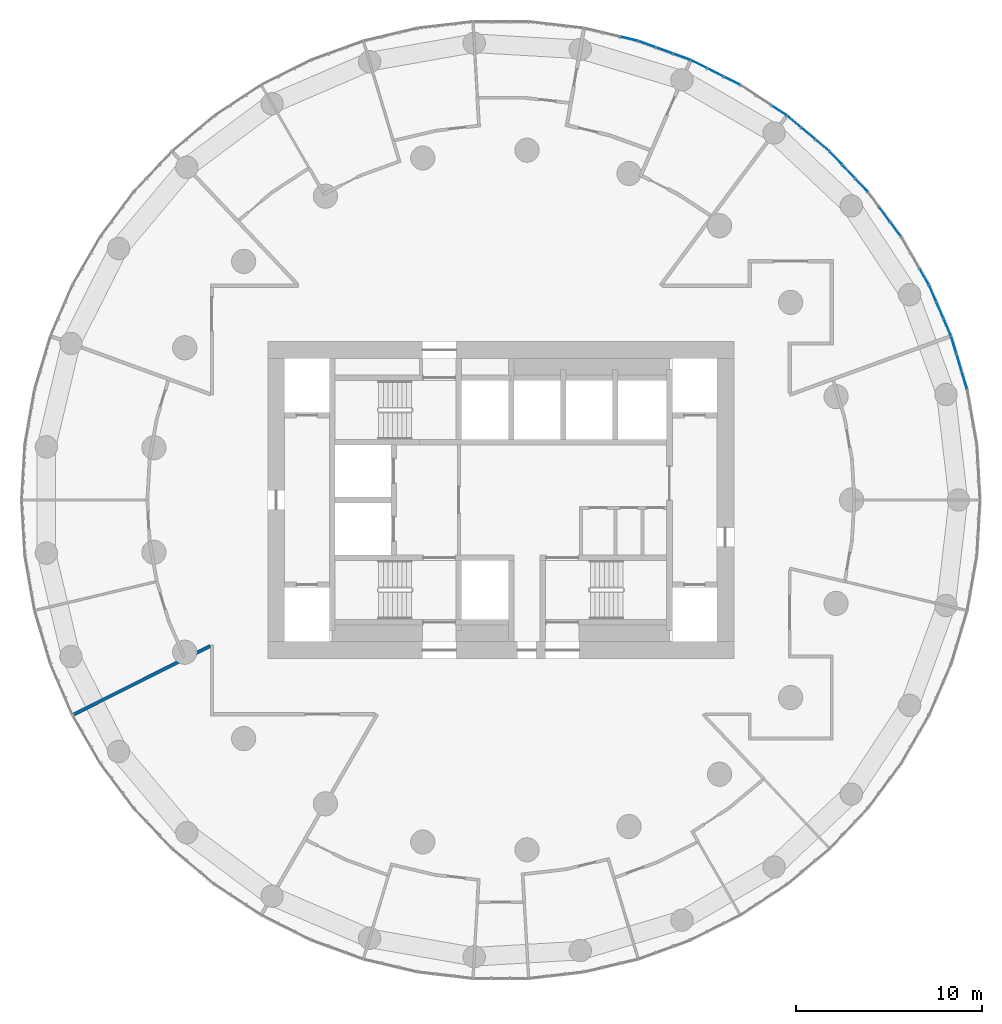
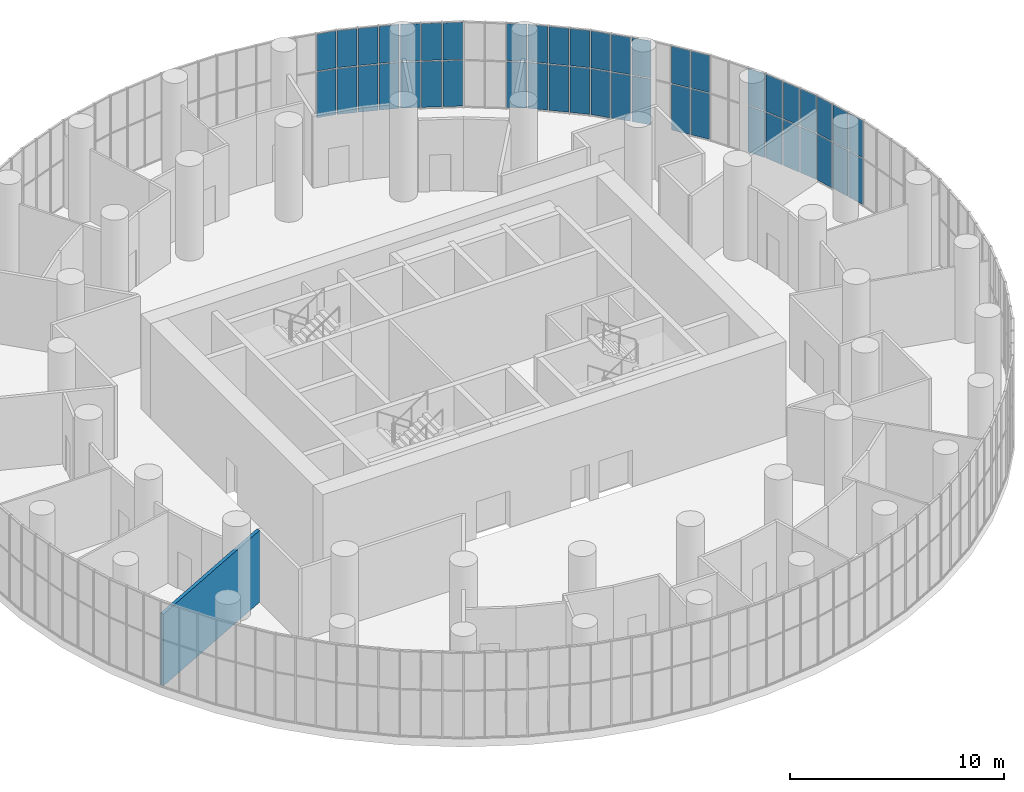
# One storey, part 15 of 21: 46 plates, 1 wall, 10 elements without a shape of their own.
"""IFC4 building model written with IfcOpenShell, lengths in metres."""

from ifc_helpers import new_model, si_unit, direction, frame, frame_2d, origin, origin_2d, place, context, subcontext, project, spatial, rectangle, extrude, material, layer, layer_set, type_object, element, aggregate, save


model = new_model("IFC4")

# Units and contexts
model_context = context("Model", 3, precision=1e-05, world=origin(), true_north=direction((0.0, 1.0)))
body_context = subcontext(model_context, "Body", "Model", "MODEL_VIEW")
ifc_project = project(units=[si_unit("LENGTHUNIT", "METRE"), si_unit("AREAUNIT", "SQUARE_METRE"), si_unit("VOLUMEUNIT", "CUBIC_METRE"), si_unit("PLANEANGLEUNIT", "RADIAN"), si_unit("MASSUNIT", "GRAM", prefix="KILO")], contexts=[model_context])

# Site, building, storey
site_placement = place(None, origin())
site = spatial("IfcSite", under=ifc_project, at=site_placement, CompositionType="ELEMENT")
building_placement = place(site_placement, origin())
building = spatial("IfcBuilding", under=site, at=building_placement, Name="Tracery Tower", CompositionType="ELEMENT")
storey_placement = place(building_placement, frame((0.0, 0.0, 219.60009765625)))
storey = spatial("IfcBuildingStorey", under=building, at=storey_placement, Name="L57", CompositionType="ELEMENT", Elevation=219.60009765625)

# Curtain wall, plates
ifc_material_1 = material(Name="Aluminium curtain wall with tinted glass", Category="aluminium")
ifc_layer_1 = layer(ifc_material_1, 0.159912109375)
ifc_layer_set_1 = layer_set([ifc_layer_1], Name="Sky lounge 2 tracery curtain wall")
curtain_wall_type = type_object("IfcCurtainWallType", Name="Sky lounge 2 tracery curtain wall", PredefinedType="NOTDEFINED", material=ifc_layer_set_1)
curtain_wall_1_placement = place(storey_placement, origin())
curtain_wall_1 = element("IfcCurtainWall", 1, at=curtain_wall_1_placement, inside=storey, type_object=curtain_wall_type, Name="Sky lounge 2 curtain wall run 3", PredefinedType="NOTDEFINED")
ifc_material_2 = material(Name="Tinted laminated glass", Category="glass")
ifc_layer_2 = layer(ifc_material_2, 0.028076171875)
ifc_layer_set_2 = layer_set([ifc_layer_2], Name="Sky lounge 2 glass panel 28")
plate_type = type_object("IfcPlateType", Name="Sky lounge 2 glass panel 28", PredefinedType="CURTAIN_PANEL", material=ifc_layer_set_2)
plate_1_placement = place(storey_placement, frame((24.87158203125, 6.406005859375, 0.06005859375), z_axis=(0.0, 0.0, 1.0), x_axis=(-0.286803232717, 0.957989512314, 0.0)))
plate_1 = element("IfcPlate", 2, at=plate_1_placement, type_object=plate_type, Name="Sky lounge 2 curtain wall run 3 glass panel 1", PredefinedType="CURTAIN_PANEL", context=body_context, shape_type="SweptSolid", body=[
    extrude(rectangle(XDim=0.9365234375, YDim=0.028076171875, at=origin_2d()), origin(), (0.0, 0.0, 1.0), 2.610107421875),
])
plate_2_placement = place(storey_placement, frame((24.87158203125, 6.406005859375, 2.72998046875), z_axis=(0.0, 0.0, 1.0), x_axis=(-0.286803232717, 0.957989512314, 0.0)))
plate_2 = element("IfcPlate", 3, at=plate_2_placement, type_object=plate_type, Name="Sky lounge 2 curtain wall run 3 glass panel 2", PredefinedType="CURTAIN_PANEL", context=body_context, shape_type="SweptSolid", body=[
    extrude(rectangle(XDim=0.9365234375, YDim=0.028076171875, at=origin_2d()), origin(), (0.0, 0.0, 1.0), 2.110107421875),
])
plate_3_placement = place(storey_placement, frame((24.5859375, 7.360595703125, 0.06005859375), z_axis=(0.0, 0.0, 1.0), x_axis=(-0.286803232717, 0.957989512314, 0.0)))
plate_3 = element("IfcPlate", 4, at=plate_3_placement, type_object=plate_type, Name="Sky lounge 2 curtain wall run 3 glass panel 3", PredefinedType="CURTAIN_PANEL", context=body_context, shape_type="SweptSolid", body=[
    extrude(rectangle(XDim=0.9365234375, YDim=0.028076171875, at=origin_2d()), origin(), (0.0, 0.0, 1.0), 2.610107421875),
])
plate_4_placement = place(storey_placement, frame((24.5859375, 7.360595703125, 2.72998046875), z_axis=(0.0, 0.0, 1.0), x_axis=(-0.286803232717, 0.957989512314, 0.0)))
plate_4 = element("IfcPlate", 5, at=plate_4_placement, type_object=plate_type, Name="Sky lounge 2 curtain wall run 3 glass panel 4", PredefinedType="CURTAIN_PANEL", context=body_context, shape_type="SweptSolid", body=[
    extrude(rectangle(XDim=0.9365234375, YDim=0.028076171875, at=origin_2d()), origin(), (0.0, 0.0, 1.0), 2.110107421875),
])
plate_5_placement = place(storey_placement, frame((24.300048828125, 8.315185546875, 0.06005859375), z_axis=(0.0, 0.0, 1.0), x_axis=(-0.286803232717, 0.957989512314, 0.0)))
plate_5 = element("IfcPlate", 6, at=plate_5_placement, type_object=plate_type, Name="Sky lounge 2 curtain wall run 3 glass panel 5", PredefinedType="CURTAIN_PANEL", context=body_context, shape_type="SweptSolid", body=[
    extrude(rectangle(XDim=0.9365234375, YDim=0.028076171875, at=origin_2d()), origin(), (0.0, 0.0, 1.0), 2.610107421875),
])
plate_6_placement = place(storey_placement, frame((24.300048828125, 8.315185546875, 2.72998046875), z_axis=(0.0, 0.0, 1.0), x_axis=(-0.286803232717, 0.957989512314, 0.0)))
plate_6 = element("IfcPlate", 7, at=plate_6_placement, type_object=plate_type, Name="Sky lounge 2 curtain wall run 3 glass panel 6", PredefinedType="CURTAIN_PANEL", context=body_context, shape_type="SweptSolid", body=[
    extrude(rectangle(XDim=0.9365234375, YDim=0.028076171875, at=origin_2d()), origin(), (0.0, 0.0, 1.0), 2.110107421875),
])
aggregate(curtain_wall_1, [plate_1, plate_2, plate_3, plate_4, plate_5, plate_6])

curtain_wall_2_placement = place(storey_placement, origin())
curtain_wall_2 = element("IfcCurtainWall", 8, at=curtain_wall_2_placement, inside=storey, type_object=curtain_wall_type, Name="Sky lounge 2 curtain wall run 4", PredefinedType="NOTDEFINED")
plate_7_placement = place(storey_placement, frame((23.9599609375, 9.25, 0.06005859375), z_axis=(0.0, 0.0, 1.0), x_axis=(-0.396079766034, 0.918216106883, 0.0)))
plate_7 = element("IfcPlate", 9, at=plate_7_placement, type_object=plate_type, Name="Sky lounge 2 curtain wall run 4 glass panel 1", PredefinedType="CURTAIN_PANEL", context=body_context, shape_type="SweptSolid", body=[
    extrude(rectangle(XDim=0.9365234375, YDim=0.028076171875, at=origin_2d()), origin(), (0.0, 0.0, 1.0), 2.610107421875),
])
plate_8_placement = place(storey_placement, frame((23.9599609375, 9.25, 2.72998046875), z_axis=(0.0, 0.0, 1.0), x_axis=(-0.396079766034, 0.918216106883, 0.0)))
plate_8 = element("IfcPlate", 10, at=plate_8_placement, type_object=plate_type, Name="Sky lounge 2 curtain wall run 4 glass panel 2", PredefinedType="CURTAIN_PANEL", context=body_context, shape_type="SweptSolid", body=[
    extrude(rectangle(XDim=0.9365234375, YDim=0.028076171875, at=origin_2d()), origin(), (0.0, 0.0, 1.0), 2.110107421875),
])
plate_9_placement = place(storey_placement, frame((23.565185546875, 10.1650390625, 0.06005859375), z_axis=(0.0, 0.0, 1.0), x_axis=(-0.396079766034, 0.918216106883, 0.0)))
plate_9 = element("IfcPlate", 11, at=plate_9_placement, type_object=plate_type, Name="Sky lounge 2 curtain wall run 4 glass panel 3", PredefinedType="CURTAIN_PANEL", context=body_context, shape_type="SweptSolid", body=[
    extrude(rectangle(XDim=0.9365234375, YDim=0.028076171875, at=origin_2d()), origin(), (0.0, 0.0, 1.0), 2.610107421875),
])
plate_10_placement = place(storey_placement, frame((23.565185546875, 10.1650390625, 2.72998046875), z_axis=(0.0, 0.0, 1.0), x_axis=(-0.396079766034, 0.918216106883, 0.0)))
plate_10 = element("IfcPlate", 12, at=plate_10_placement, type_object=plate_type, Name="Sky lounge 2 curtain wall run 4 glass panel 4", PredefinedType="CURTAIN_PANEL", context=body_context, shape_type="SweptSolid", body=[
    extrude(rectangle(XDim=0.9365234375, YDim=0.028076171875, at=origin_2d()), origin(), (0.0, 0.0, 1.0), 2.110107421875),
])
plate_11_placement = place(storey_placement, frame((23.17041015625, 11.080078125, 0.06005859375), z_axis=(0.0, 0.0, 1.0), x_axis=(-0.396079766034, 0.918216106883, 0.0)))
plate_11 = element("IfcPlate", 13, at=plate_11_placement, type_object=plate_type, Name="Sky lounge 2 curtain wall run 4 glass panel 5", PredefinedType="CURTAIN_PANEL", context=body_context, shape_type="SweptSolid", body=[
    extrude(rectangle(XDim=0.9365234375, YDim=0.028076171875, at=origin_2d()), origin(), (0.0, 0.0, 1.0), 2.610107421875),
])
plate_12_placement = place(storey_placement, frame((23.17041015625, 11.080078125, 2.72998046875), z_axis=(0.0, 0.0, 1.0), x_axis=(-0.396079766034, 0.918216106883, 0.0)))
plate_12 = element("IfcPlate", 14, at=plate_12_placement, type_object=plate_type, Name="Sky lounge 2 curtain wall run 4 glass panel 6", PredefinedType="CURTAIN_PANEL", context=body_context, shape_type="SweptSolid", body=[
    extrude(rectangle(XDim=0.9365234375, YDim=0.028076171875, at=origin_2d()), origin(), (0.0, 0.0, 1.0), 2.110107421875),
])
aggregate(curtain_wall_2, [plate_7, plate_8, plate_9, plate_10, plate_11, plate_12])

curtain_wall_3_placement = place(storey_placement, origin())
curtain_wall_3 = element("IfcCurtainWall", 15, at=curtain_wall_3_placement, inside=storey, type_object=curtain_wall_type, Name="Sky lounge 2 curtain wall run 5", PredefinedType="NOTDEFINED")
plate_13_placement = place(storey_placement, frame((22.723876953125, 11.968994140625, 0.06005859375), z_axis=(0.0, 0.0, 1.0), x_axis=(-0.5, 0.866025403784, 0.0)))
plate_13 = element("IfcPlate", 16, at=plate_13_placement, type_object=plate_type, Name="Sky lounge 2 curtain wall run 5 glass panel 1", PredefinedType="CURTAIN_PANEL", context=body_context, shape_type="SweptSolid", body=[
    extrude(rectangle(XDim=0.9365234375, YDim=0.028076171875, at=origin_2d()), origin(), (0.0, 0.0, 1.0), 2.610107421875),
])
plate_14_placement = place(storey_placement, frame((22.723876953125, 11.968994140625, 2.72998046875), z_axis=(0.0, 0.0, 1.0), x_axis=(-0.5, 0.866025403784, 0.0)))
plate_14 = element("IfcPlate", 17, at=plate_14_placement, type_object=plate_type, Name="Sky lounge 2 curtain wall run 5 glass panel 2", PredefinedType="CURTAIN_PANEL", context=body_context, shape_type="SweptSolid", body=[
    extrude(rectangle(XDim=0.9365234375, YDim=0.028076171875, at=origin_2d()), origin(), (0.0, 0.0, 1.0), 2.110107421875),
])
aggregate(curtain_wall_3, [plate_13, plate_14])

curtain_wall_4_placement = place(storey_placement, origin())
curtain_wall_4 = element("IfcCurtainWall", 18, at=curtain_wall_4_placement, inside=storey, type_object=curtain_wall_type, Name="Sky lounge 2 curtain wall run 6", PredefinedType="NOTDEFINED")
plate_15_placement = place(storey_placement, frame((21.180908203125, 14.526123046875, 0.06005859375), z_axis=(0.0, 0.0, 1.0), x_axis=(-0.597158591707, 0.802123192752, 0.0)))
plate_15 = element("IfcPlate", 19, at=plate_15_placement, type_object=plate_type, Name="Sky lounge 2 curtain wall run 6 glass panel 1", PredefinedType="CURTAIN_PANEL", context=body_context, shape_type="SweptSolid", body=[
    extrude(rectangle(XDim=0.9365234375, YDim=0.028076171875, at=origin_2d()), origin(), (0.0, 0.0, 1.0), 2.610107421875),
])
plate_16_placement = place(storey_placement, frame((21.180908203125, 14.526123046875, 2.72998046875), z_axis=(0.0, 0.0, 1.0), x_axis=(-0.597158591707, 0.802123192752, 0.0)))
plate_16 = element("IfcPlate", 20, at=plate_16_placement, type_object=plate_type, Name="Sky lounge 2 curtain wall run 6 glass panel 2", PredefinedType="CURTAIN_PANEL", context=body_context, shape_type="SweptSolid", body=[
    extrude(rectangle(XDim=0.9365234375, YDim=0.028076171875, at=origin_2d()), origin(), (0.0, 0.0, 1.0), 2.110107421875),
])
plate_17_placement = place(storey_placement, frame((20.585693359375, 15.325439453125, 0.06005859375), z_axis=(0.0, 0.0, 1.0), x_axis=(-0.597158591707, 0.802123192752, 0.0)))
plate_17 = element("IfcPlate", 21, at=plate_17_placement, type_object=plate_type, Name="Sky lounge 2 curtain wall run 6 glass panel 3", PredefinedType="CURTAIN_PANEL", context=body_context, shape_type="SweptSolid", body=[
    extrude(rectangle(XDim=0.9365234375, YDim=0.028076171875, at=origin_2d()), origin(), (0.0, 0.0, 1.0), 2.610107421875),
])
plate_18_placement = place(storey_placement, frame((20.585693359375, 15.325439453125, 2.72998046875), z_axis=(0.0, 0.0, 1.0), x_axis=(-0.597158591707, 0.802123192752, 0.0)))
plate_18 = element("IfcPlate", 22, at=plate_18_placement, type_object=plate_type, Name="Sky lounge 2 curtain wall run 6 glass panel 4", PredefinedType="CURTAIN_PANEL", context=body_context, shape_type="SweptSolid", body=[
    extrude(rectangle(XDim=0.9365234375, YDim=0.028076171875, at=origin_2d()), origin(), (0.0, 0.0, 1.0), 2.110107421875),
])
aggregate(curtain_wall_4, [plate_15, plate_16, plate_17, plate_18])

curtain_wall_5_placement = place(storey_placement, origin())
curtain_wall_5 = element("IfcCurtainWall", 23, at=curtain_wall_5_placement, inside=storey, type_object=curtain_wall_type, Name="Sky lounge 2 curtain wall run 7", PredefinedType="NOTDEFINED")
plate_19_placement = place(storey_placement, frame((19.351318359375, 16.886962890625, 0.06005859375), z_axis=(0.0, 0.0, 1.0), x_axis=(-0.686241637865, 0.727373641577, 0.0)))
plate_19 = element("IfcPlate", 24, at=plate_19_placement, type_object=plate_type, Name="Sky lounge 2 curtain wall run 7 glass panel 1", PredefinedType="CURTAIN_PANEL", context=body_context, shape_type="SweptSolid", body=[
    extrude(rectangle(XDim=0.9365234375, YDim=0.028076171875, at=origin_2d()), origin(), (0.0, 0.0, 1.0), 2.610107421875),
])
plate_20_placement = place(storey_placement, frame((19.351318359375, 16.886962890625, 2.72998046875), z_axis=(0.0, 0.0, 1.0), x_axis=(-0.686241637865, 0.727373641577, 0.0)))
plate_20 = element("IfcPlate", 25, at=plate_20_placement, type_object=plate_type, Name="Sky lounge 2 curtain wall run 7 glass panel 2", PredefinedType="CURTAIN_PANEL", context=body_context, shape_type="SweptSolid", body=[
    extrude(rectangle(XDim=0.9365234375, YDim=0.028076171875, at=origin_2d()), origin(), (0.0, 0.0, 1.0), 2.110107421875),
])
plate_21_placement = place(storey_placement, frame((18.667236328125, 17.61181640625, 0.06005859375), z_axis=(0.0, 0.0, 1.0), x_axis=(-0.686241637865, 0.727373641577, 0.0)))
plate_21 = element("IfcPlate", 26, at=plate_21_placement, type_object=plate_type, Name="Sky lounge 2 curtain wall run 7 glass panel 3", PredefinedType="CURTAIN_PANEL", context=body_context, shape_type="SweptSolid", body=[
    extrude(rectangle(XDim=0.9365234375, YDim=0.028076171875, at=origin_2d()), origin(), (0.0, 0.0, 1.0), 2.610107421875),
])
plate_22_placement = place(storey_placement, frame((18.667236328125, 17.61181640625, 2.72998046875), z_axis=(0.0, 0.0, 1.0), x_axis=(-0.686241637865, 0.727373641577, 0.0)))
plate_22 = element("IfcPlate", 27, at=plate_22_placement, type_object=plate_type, Name="Sky lounge 2 curtain wall run 7 glass panel 4", PredefinedType="CURTAIN_PANEL", context=body_context, shape_type="SweptSolid", body=[
    extrude(rectangle(XDim=0.9365234375, YDim=0.028076171875, at=origin_2d()), origin(), (0.0, 0.0, 1.0), 2.110107421875),
])
plate_23_placement = place(storey_placement, frame((17.9833984375, 18.336669921875, 0.06005859375), z_axis=(0.0, 0.0, 1.0), x_axis=(-0.686241637865, 0.727373641577, 0.0)))
plate_23 = element("IfcPlate", 28, at=plate_23_placement, type_object=plate_type, Name="Sky lounge 2 curtain wall run 7 glass panel 5", PredefinedType="CURTAIN_PANEL", context=body_context, shape_type="SweptSolid", body=[
    extrude(rectangle(XDim=0.9365234375, YDim=0.028076171875, at=origin_2d()), origin(), (0.0, 0.0, 1.0), 2.610107421875),
])
plate_24_placement = place(storey_placement, frame((17.9833984375, 18.336669921875, 2.72998046875), z_axis=(0.0, 0.0, 1.0), x_axis=(-0.686241637865, 0.727373641577, 0.0)))
plate_24 = element("IfcPlate", 29, at=plate_24_placement, type_object=plate_type, Name="Sky lounge 2 curtain wall run 7 glass panel 6", PredefinedType="CURTAIN_PANEL", context=body_context, shape_type="SweptSolid", body=[
    extrude(rectangle(XDim=0.9365234375, YDim=0.028076171875, at=origin_2d()), origin(), (0.0, 0.0, 1.0), 2.110107421875),
])
aggregate(curtain_wall_5, [plate_19, plate_20, plate_21, plate_22, plate_23, plate_24])

curtain_wall_6_placement = place(storey_placement, origin())
curtain_wall_6 = element("IfcCurtainWall", 30, at=curtain_wall_6_placement, inside=storey, type_object=curtain_wall_type, Name="Sky lounge 2 curtain wall run 8", PredefinedType="NOTDEFINED")
plate_25_placement = place(storey_placement, frame((17.260009765625, 19.019287109375, 0.06005859375), z_axis=(0.0, 0.0, 1.0), x_axis=(-0.766044443119, 0.642787609687, 0.0)))
plate_25 = element("IfcPlate", 31, at=plate_25_placement, type_object=plate_type, Name="Sky lounge 2 curtain wall run 8 glass panel 1", PredefinedType="CURTAIN_PANEL", context=body_context, shape_type="SweptSolid", body=[
    extrude(rectangle(XDim=0.9365234375, YDim=0.028076171875, at=origin_2d()), origin(), (0.0, 0.0, 1.0), 2.610107421875),
])
plate_26_placement = place(storey_placement, frame((17.260009765625, 19.019287109375, 2.72998046875), z_axis=(0.0, 0.0, 1.0), x_axis=(-0.766044443119, 0.642787609687, 0.0)))
plate_26 = element("IfcPlate", 32, at=plate_26_placement, type_object=plate_type, Name="Sky lounge 2 curtain wall run 8 glass panel 2", PredefinedType="CURTAIN_PANEL", context=body_context, shape_type="SweptSolid", body=[
    extrude(rectangle(XDim=0.9365234375, YDim=0.028076171875, at=origin_2d()), origin(), (0.0, 0.0, 1.0), 2.110107421875),
])
plate_27_placement = place(storey_placement, frame((16.49658203125, 19.659912109375, 0.06005859375), z_axis=(0.0, 0.0, 1.0), x_axis=(-0.766044443119, 0.642787609687, 0.0)))
plate_27 = element("IfcPlate", 33, at=plate_27_placement, type_object=plate_type, Name="Sky lounge 2 curtain wall run 8 glass panel 3", PredefinedType="CURTAIN_PANEL", context=body_context, shape_type="SweptSolid", body=[
    extrude(rectangle(XDim=0.9365234375, YDim=0.028076171875, at=origin_2d()), origin(), (0.0, 0.0, 1.0), 2.610107421875),
])
plate_28_placement = place(storey_placement, frame((16.49658203125, 19.659912109375, 2.72998046875), z_axis=(0.0, 0.0, 1.0), x_axis=(-0.766044443119, 0.642787609687, 0.0)))
plate_28 = element("IfcPlate", 34, at=plate_28_placement, type_object=plate_type, Name="Sky lounge 2 curtain wall run 8 glass panel 4", PredefinedType="CURTAIN_PANEL", context=body_context, shape_type="SweptSolid", body=[
    extrude(rectangle(XDim=0.9365234375, YDim=0.028076171875, at=origin_2d()), origin(), (0.0, 0.0, 1.0), 2.110107421875),
])
plate_29_placement = place(storey_placement, frame((15.733154296875, 20.30029296875, 0.06005859375), z_axis=(0.0, 0.0, 1.0), x_axis=(-0.766044443119, 0.642787609687, 0.0)))
plate_29 = element("IfcPlate", 35, at=plate_29_placement, type_object=plate_type, Name="Sky lounge 2 curtain wall run 8 glass panel 5", PredefinedType="CURTAIN_PANEL", context=body_context, shape_type="SweptSolid", body=[
    extrude(rectangle(XDim=0.9365234375, YDim=0.028076171875, at=origin_2d()), origin(), (0.0, 0.0, 1.0), 2.610107421875),
])
plate_30_placement = place(storey_placement, frame((15.733154296875, 20.30029296875, 2.72998046875), z_axis=(0.0, 0.0, 1.0), x_axis=(-0.766044443119, 0.642787609687, 0.0)))
plate_30 = element("IfcPlate", 36, at=plate_30_placement, type_object=plate_type, Name="Sky lounge 2 curtain wall run 8 glass panel 6", PredefinedType="CURTAIN_PANEL", context=body_context, shape_type="SweptSolid", body=[
    extrude(rectangle(XDim=0.9365234375, YDim=0.028076171875, at=origin_2d()), origin(), (0.0, 0.0, 1.0), 2.110107421875),
])
aggregate(curtain_wall_6, [plate_25, plate_26, plate_27, plate_28, plate_29, plate_30])

curtain_wall_7_placement = place(storey_placement, origin())
curtain_wall_7 = element("IfcCurtainWall", 37, at=curtain_wall_7_placement, inside=storey, type_object=curtain_wall_type, Name="Sky lounge 2 curtain wall run 9", PredefinedType="NOTDEFINED")
plate_31_placement = place(storey_placement, frame((14.935302734375, 20.89453125, 0.06005859375), z_axis=(0.0, 0.0, 1.0), x_axis=(-0.835487811416, 0.549508978066, 0.0)))
plate_31 = element("IfcPlate", 38, at=plate_31_placement, type_object=plate_type, Name="Sky lounge 2 curtain wall run 9 glass panel 1", PredefinedType="CURTAIN_PANEL", context=body_context, shape_type="SweptSolid", body=[
    extrude(rectangle(XDim=0.9365234375, YDim=0.028076171875, at=origin_2d()), origin(), (0.0, 0.0, 1.0), 2.610107421875),
])
plate_32_placement = place(storey_placement, frame((14.935302734375, 20.89453125, 2.72998046875), z_axis=(0.0, 0.0, 1.0), x_axis=(-0.835487811416, 0.549508978066, 0.0)))
plate_32 = element("IfcPlate", 39, at=plate_32_placement, type_object=plate_type, Name="Sky lounge 2 curtain wall run 9 glass panel 2", PredefinedType="CURTAIN_PANEL", context=body_context, shape_type="SweptSolid", body=[
    extrude(rectangle(XDim=0.9365234375, YDim=0.028076171875, at=origin_2d()), origin(), (0.0, 0.0, 1.0), 2.110107421875),
])
aggregate(curtain_wall_7, [plate_31, plate_32])

curtain_wall_8_placement = place(storey_placement, origin())
curtain_wall_8 = element("IfcCurtainWall", 40, at=curtain_wall_8_placement, inside=storey, type_object=curtain_wall_type, Name="Sky lounge 2 curtain wall run 10", PredefinedType="NOTDEFINED")
plate_33_placement = place(storey_placement, frame((12.408447265625, 22.487060546875, 0.06005859375), z_axis=(0.0, 0.0, 1.0), x_axis=(-0.893632640321, 0.448799180206, 0.0)))
plate_33 = element("IfcPlate", 41, at=plate_33_placement, type_object=plate_type, Name="Sky lounge 2 curtain wall run 10 glass panel 1", PredefinedType="CURTAIN_PANEL", context=body_context, shape_type="SweptSolid", body=[
    extrude(rectangle(XDim=0.9365234375, YDim=0.028076171875, at=origin_2d()), origin(), (0.0, 0.0, 1.0), 2.610107421875),
])
plate_34_placement = place(storey_placement, frame((12.408447265625, 22.487060546875, 2.72998046875), z_axis=(0.0, 0.0, 1.0), x_axis=(-0.893632640321, 0.448799180206, 0.0)))
plate_34 = element("IfcPlate", 42, at=plate_34_placement, type_object=plate_type, Name="Sky lounge 2 curtain wall run 10 glass panel 2", PredefinedType="CURTAIN_PANEL", context=body_context, shape_type="SweptSolid", body=[
    extrude(rectangle(XDim=0.9365234375, YDim=0.028076171875, at=origin_2d()), origin(), (0.0, 0.0, 1.0), 2.110107421875),
])
plate_35_placement = place(storey_placement, frame((11.51806640625, 22.934326171875, 0.06005859375), z_axis=(0.0, 0.0, 1.0), x_axis=(-0.893632640321, 0.448799180206, 0.0)))
plate_35 = element("IfcPlate", 43, at=plate_35_placement, type_object=plate_type, Name="Sky lounge 2 curtain wall run 10 glass panel 3", PredefinedType="CURTAIN_PANEL", context=body_context, shape_type="SweptSolid", body=[
    extrude(rectangle(XDim=0.9365234375, YDim=0.028076171875, at=origin_2d()), origin(), (0.0, 0.0, 1.0), 2.610107421875),
])
plate_36_placement = place(storey_placement, frame((11.51806640625, 22.934326171875, 2.72998046875), z_axis=(0.0, 0.0, 1.0), x_axis=(-0.893632640321, 0.448799180206, 0.0)))
plate_36 = element("IfcPlate", 44, at=plate_36_placement, type_object=plate_type, Name="Sky lounge 2 curtain wall run 10 glass panel 4", PredefinedType="CURTAIN_PANEL", context=body_context, shape_type="SweptSolid", body=[
    extrude(rectangle(XDim=0.9365234375, YDim=0.028076171875, at=origin_2d()), origin(), (0.0, 0.0, 1.0), 2.110107421875),
])
plate_37_placement = place(storey_placement, frame((10.62744140625, 23.38134765625, 0.06005859375), z_axis=(0.0, 0.0, 1.0), x_axis=(-0.893632640321, 0.448799180206, 0.0)))
plate_37 = element("IfcPlate", 45, at=plate_37_placement, type_object=plate_type, Name="Sky lounge 2 curtain wall run 10 glass panel 5", PredefinedType="CURTAIN_PANEL", context=body_context, shape_type="SweptSolid", body=[
    extrude(rectangle(XDim=0.9365234375, YDim=0.028076171875, at=origin_2d()), origin(), (0.0, 0.0, 1.0), 2.610107421875),
])
plate_38_placement = place(storey_placement, frame((10.62744140625, 23.38134765625, 2.72998046875), z_axis=(0.0, 0.0, 1.0), x_axis=(-0.893632640321, 0.448799180206, 0.0)))
plate_38 = element("IfcPlate", 46, at=plate_38_placement, type_object=plate_type, Name="Sky lounge 2 curtain wall run 10 glass panel 6", PredefinedType="CURTAIN_PANEL", context=body_context, shape_type="SweptSolid", body=[
    extrude(rectangle(XDim=0.9365234375, YDim=0.028076171875, at=origin_2d()), origin(), (0.0, 0.0, 1.0), 2.110107421875),
])
aggregate(curtain_wall_8, [plate_33, plate_34, plate_35, plate_36, plate_37, plate_38])

curtain_wall_9_placement = place(storey_placement, origin())
curtain_wall_9 = element("IfcCurtainWall", 47, at=curtain_wall_9_placement, inside=storey, type_object=curtain_wall_type, Name="Sky lounge 2 curtain wall run 11", PredefinedType="NOTDEFINED")
plate_39_placement = place(storey_placement, frame((9.714111328125, 23.775390625, 0.06005859375), z_axis=(0.0, 0.0, 1.0), x_axis=(-0.939692620786, 0.342020143326, 0.0)))
plate_39 = element("IfcPlate", 48, at=plate_39_placement, type_object=plate_type, Name="Sky lounge 2 curtain wall run 11 glass panel 1", PredefinedType="CURTAIN_PANEL", context=body_context, shape_type="SweptSolid", body=[
    extrude(rectangle(XDim=0.9365234375, YDim=0.028076171875, at=origin_2d()), origin(), (0.0, 0.0, 1.0), 2.610107421875),
])
plate_40_placement = place(storey_placement, frame((9.714111328125, 23.775390625, 2.72998046875), z_axis=(0.0, 0.0, 1.0), x_axis=(-0.939692620786, 0.342020143326, 0.0)))
plate_40 = element("IfcPlate", 49, at=plate_40_placement, type_object=plate_type, Name="Sky lounge 2 curtain wall run 11 glass panel 2", PredefinedType="CURTAIN_PANEL", context=body_context, shape_type="SweptSolid", body=[
    extrude(rectangle(XDim=0.9365234375, YDim=0.028076171875, at=origin_2d()), origin(), (0.0, 0.0, 1.0), 2.110107421875),
])
plate_41_placement = place(storey_placement, frame((8.777587890625, 24.1162109375, 0.06005859375), z_axis=(0.0, 0.0, 1.0), x_axis=(-0.939692620786, 0.342020143326, 0.0)))
plate_41 = element("IfcPlate", 50, at=plate_41_placement, type_object=plate_type, Name="Sky lounge 2 curtain wall run 11 glass panel 3", PredefinedType="CURTAIN_PANEL", context=body_context, shape_type="SweptSolid", body=[
    extrude(rectangle(XDim=0.9365234375, YDim=0.028076171875, at=origin_2d()), origin(), (0.0, 0.0, 1.0), 2.610107421875),
])
plate_42_placement = place(storey_placement, frame((8.777587890625, 24.1162109375, 2.72998046875), z_axis=(0.0, 0.0, 1.0), x_axis=(-0.939692620786, 0.342020143326, 0.0)))
plate_42 = element("IfcPlate", 51, at=plate_42_placement, type_object=plate_type, Name="Sky lounge 2 curtain wall run 11 glass panel 4", PredefinedType="CURTAIN_PANEL", context=body_context, shape_type="SweptSolid", body=[
    extrude(rectangle(XDim=0.9365234375, YDim=0.028076171875, at=origin_2d()), origin(), (0.0, 0.0, 1.0), 2.110107421875),
])
plate_43_placement = place(storey_placement, frame((7.84130859375, 24.45703125, 0.06005859375), z_axis=(0.0, 0.0, 1.0), x_axis=(-0.939692620786, 0.342020143326, 0.0)))
plate_43 = element("IfcPlate", 52, at=plate_43_placement, type_object=plate_type, Name="Sky lounge 2 curtain wall run 11 glass panel 5", PredefinedType="CURTAIN_PANEL", context=body_context, shape_type="SweptSolid", body=[
    extrude(rectangle(XDim=0.9365234375, YDim=0.028076171875, at=origin_2d()), origin(), (0.0, 0.0, 1.0), 2.610107421875),
])
plate_44_placement = place(storey_placement, frame((7.84130859375, 24.45703125, 2.72998046875), z_axis=(0.0, 0.0, 1.0), x_axis=(-0.939692620786, 0.342020143326, 0.0)))
plate_44 = element("IfcPlate", 53, at=plate_44_placement, type_object=plate_type, Name="Sky lounge 2 curtain wall run 11 glass panel 6", PredefinedType="CURTAIN_PANEL", context=body_context, shape_type="SweptSolid", body=[
    extrude(rectangle(XDim=0.9365234375, YDim=0.028076171875, at=origin_2d()), origin(), (0.0, 0.0, 1.0), 2.110107421875),
])
aggregate(curtain_wall_9, [plate_39, plate_40, plate_41, plate_42, plate_43, plate_44])

curtain_wall_10_placement = place(storey_placement, origin())
curtain_wall_10 = element("IfcCurtainWall", 54, at=curtain_wall_10_placement, inside=storey, type_object=curtain_wall_type, Name="Sky lounge 2 curtain wall run 12", PredefinedType="NOTDEFINED")
plate_45_placement = place(storey_placement, frame((6.88818359375, 24.742431640625, 0.06005859375), z_axis=(0.0, 0.0, 1.0), x_axis=(-0.973044870581, 0.230615870737, 0.0)))
plate_45 = element("IfcPlate", 55, at=plate_45_placement, type_object=plate_type, Name="Sky lounge 2 curtain wall run 12 glass panel 1", PredefinedType="CURTAIN_PANEL", context=body_context, shape_type="SweptSolid", body=[
    extrude(rectangle(XDim=0.9365234375, YDim=0.028076171875, at=origin_2d()), origin(), (0.0, 0.0, 1.0), 2.610107421875),
])
plate_46_placement = place(storey_placement, frame((6.88818359375, 24.742431640625, 2.72998046875), z_axis=(0.0, 0.0, 1.0), x_axis=(-0.973044870581, 0.230615870737, 0.0)))
plate_46 = element("IfcPlate", 56, at=plate_46_placement, type_object=plate_type, Name="Sky lounge 2 curtain wall run 12 glass panel 2", PredefinedType="CURTAIN_PANEL", context=body_context, shape_type="SweptSolid", body=[
    extrude(rectangle(XDim=0.9365234375, YDim=0.028076171875, at=origin_2d()), origin(), (0.0, 0.0, 1.0), 2.110107421875),
])
aggregate(curtain_wall_10, [plate_45, plate_46])

# Wall
ifc_material_3 = material(Name="Plasterboard on steel studs", Category="steel")
ifc_layer_3 = layer(ifc_material_3, 0.175048828125)
ifc_layer_set_3 = layer_set([ifc_layer_3], Name="Compartment partition 175")
wall_type = type_object("IfcWallType", Name="Compartment partition 175", PredefinedType="PARTITIONING", material=ifc_layer_set_3)
wall_placement = place(storey_placement, frame((-22.901611328125, -11.501708984375, 0.0), z_axis=(0.0, 0.0, 1.0), x_axis=(0.893632344916, 0.448799768404, 0.0)))
element("IfcWall", 57, at=wall_placement, inside=storey, type_object=wall_type, Name="Compartment partition 175", PredefinedType="PARTITIONING", context=body_context, shape_type="SweptSolid", body=[
    extrude(rectangle(XDim=8.184814453125, YDim=0.175048828125, at=frame_2d((4.09228515625, 0.0))), origin(), (0.0, 0.0, 1.0), 4.099853515625),
])

save(model, "model.ifc")
